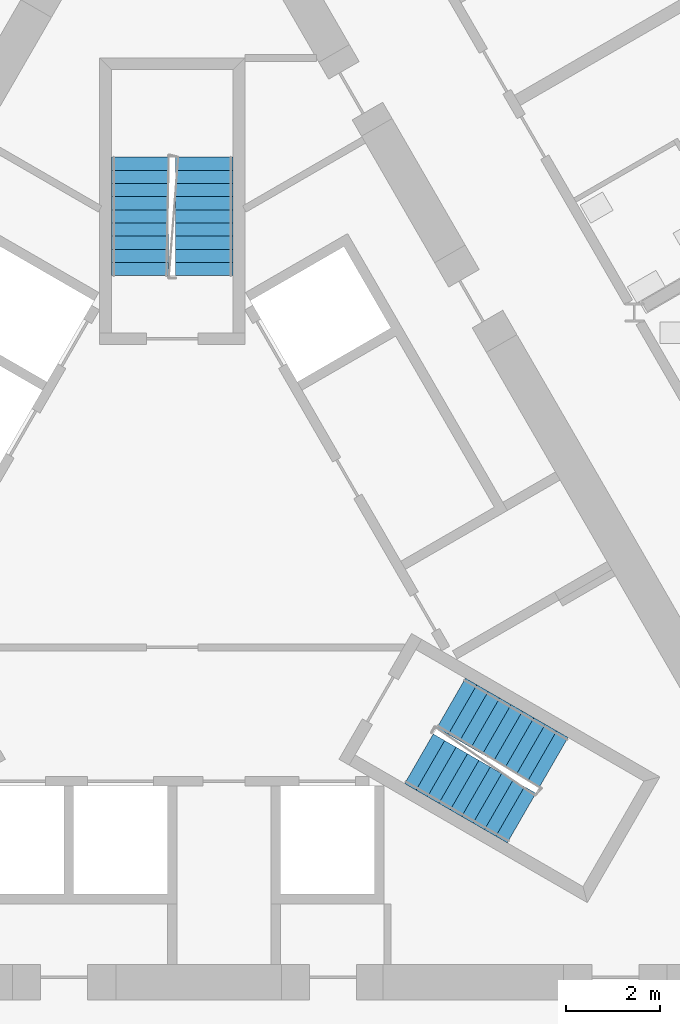
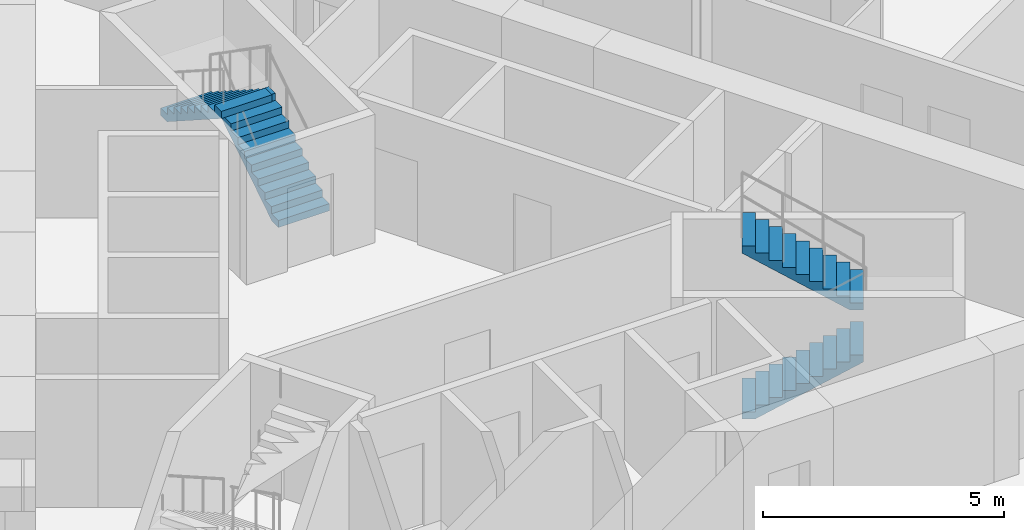
# One storey, part 16 of 24: 4 stair flights, 2 elements without a shape of their own.
"""IFC4 building model written with IfcOpenShell, lengths in metres."""

from ifc_helpers import new_model, si_unit, direction, frame, origin, place, context, subcontext, project, spatial, polyline, outline, extrude, material, type_object, element, aggregate, save


model = new_model("IFC4")

# Units and contexts
model_context = context("Model", 3, precision=1e-05, world=origin(), true_north=direction((0.0, 1.0)))
body_context = subcontext(model_context, "Body", "Model", "MODEL_VIEW")
ifc_project = project(units=[si_unit("LENGTHUNIT", "METRE"), si_unit("AREAUNIT", "SQUARE_METRE"), si_unit("VOLUMEUNIT", "CUBIC_METRE"), si_unit("PLANEANGLEUNIT", "RADIAN"), si_unit("MASSUNIT", "GRAM", prefix="KILO")], contexts=[model_context])

# Site, building, storey
site_placement = place(None, origin())
site = spatial("IfcSite", under=ifc_project, at=site_placement, CompositionType="ELEMENT")
building_placement = place(site_placement, origin())
building = spatial("IfcBuilding", under=site, at=building_placement, Name="Cormorant Prow Tower", CompositionType="ELEMENT")
storey_placement = place(building_placement, frame((0.0, 0.0, 201.60009765625)))
storey = spatial("IfcBuildingStorey", under=building, at=storey_placement, Name="L44", CompositionType="ELEMENT", Elevation=201.60009765625)

# Stair, stair flights
ifc_material_1 = material(Name="Exit stair 20 risers")
stair_type = type_object("IfcStairType", Name="Exit stair 20 risers", PredefinedType="HALF_TURN_STAIR", material=ifc_material_1)
stair_1_placement = place(storey_placement, origin())
stair_1 = element("IfcStair", 1, at=stair_1_placement, inside=storey, type_object=stair_type, Name="L44 Exit stair ST2", PredefinedType="HALF_TURN_STAIR")
ifc_material_2 = material(Name="Concrete 5000 psi", Category="concrete")
stair_flight_type = type_object("IfcStairFlightType", Name="Stair flight 1219", PredefinedType="STRAIGHT", material=ifc_material_2)
stair_flight_1_placement = place(storey_placement, frame((5.24853515625, -3.82080078125, 0.0), z_axis=(0.0, 0.0, 1.0), x_axis=(0.866025403784, -0.5, 0.0)))
stair_flight_1 = element("IfcStairFlight", 2, at=stair_flight_1_placement, type_object=stair_flight_type, Name="ST2 flight 1", NumberOfRisers=10, NumberOfTreads=9, PredefinedType="STRAIGHT", RiserHeight=0.18, TreadLength=0.28, context=body_context, shape_type="SweptSolid", body=[
    extrude(outline(polyline([(0.0, 0.0), (0.0, 0.179931640625), (0.280029296875, 0.179931640625), (0.280029296875, 0.360107421875), (0.56005859375, 0.360107421875), (0.56005859375, 0.5400390625), (0.840087890625, 0.5400390625), (0.840087890625, 0.719970703125), (1.1201171875, 0.719970703125), (1.1201171875, 0.89990234375), (1.39990234375, 0.89990234375), (1.39990234375, 1.080078125), (1.679931640625, 1.080078125), (1.679931640625, 1.260009765625), (1.9599609375, 1.260009765625), (1.9599609375, 1.43994140625), (2.239990234375, 1.43994140625), (2.239990234375, 1.6201171875), (2.52001953125, 1.6201171875), (2.52001953125, 1.800048828125), (2.52001953125, 1.44189453125), (0.277099609375, 0.0), (0.0, 0.0)])), frame((0.0, 0.609375, 0.0), z_axis=(0.0, -1.0, 0.0), x_axis=(1.0, 0.0, 0.0)), (0.0, 0.0, 1.0), 1.218994140625),
])
stair_flight_2_placement = place(storey_placement, frame((8.115478515625, -3.89501953125, 1.7998046875), z_axis=(0.0, 0.0, 1.0), x_axis=(-0.866025403784, 0.5, 0.0)))
stair_flight_2 = element("IfcStairFlight", 3, at=stair_flight_2_placement, type_object=stair_flight_type, Name="ST2 flight 2", NumberOfRisers=10, NumberOfTreads=9, PredefinedType="STRAIGHT", RiserHeight=0.18, TreadLength=0.28, context=body_context, shape_type="SweptSolid", body=[
    extrude(outline(polyline([(0.0, 0.0), (0.0, 0.179931640625), (0.280029296875, 0.179931640625), (0.280029296875, 0.360107421875), (0.56005859375, 0.360107421875), (0.56005859375, 0.5400390625), (0.840087890625, 0.5400390625), (0.840087890625, 0.719970703125), (1.1201171875, 0.719970703125), (1.1201171875, 0.89990234375), (1.39990234375, 0.89990234375), (1.39990234375, 1.080078125), (1.679931640625, 1.080078125), (1.679931640625, 1.260009765625), (1.9599609375, 1.260009765625), (1.9599609375, 1.43994140625), (2.239990234375, 1.43994140625), (2.239990234375, 1.6201171875), (2.52001953125, 1.6201171875), (2.52001953125, 1.800048828125), (2.52001953125, 1.44189453125), (0.277099609375, 0.0), (0.0, 0.0)])), frame((0.0, 0.609375, 0.0), z_axis=(0.0, -1.0, 0.0), x_axis=(1.0, 0.0, 0.0)), (0.0, 0.0, 1.0), 1.218994140625),
])
aggregate(stair_1, [stair_flight_1, stair_flight_2])

stair_2_placement = place(storey_placement, origin())
stair_2 = element("IfcStair", 4, at=stair_2_placement, inside=storey, type_object=stair_type, Name="L44 Exit stair ST3", PredefinedType="HALF_TURN_STAIR")
stair_flight_3_placement = place(storey_placement, frame((0.6845703125, 6.455810546875, 0.0), z_axis=(0.0, 0.0, 1.0), x_axis=(0.0, 1.0, 0.0)))
stair_flight_3 = element("IfcStairFlight", 5, at=stair_flight_3_placement, type_object=stair_flight_type, Name="ST3 flight 1", NumberOfRisers=10, NumberOfTreads=9, PredefinedType="STRAIGHT", RiserHeight=0.18, TreadLength=0.28, context=body_context, shape_type="SweptSolid", body=[
    extrude(outline(polyline([(0.0, 0.0), (0.0, 0.179931640625), (0.280029296875, 0.179931640625), (0.280029296875, 0.360107421875), (0.56005859375, 0.360107421875), (0.56005859375, 0.5400390625), (0.840087890625, 0.5400390625), (0.840087890625, 0.719970703125), (1.1201171875, 0.719970703125), (1.1201171875, 0.89990234375), (1.39990234375, 0.89990234375), (1.39990234375, 1.080078125), (1.679931640625, 1.080078125), (1.679931640625, 1.260009765625), (1.9599609375, 1.260009765625), (1.9599609375, 1.43994140625), (2.239990234375, 1.43994140625), (2.239990234375, 1.6201171875), (2.52001953125, 1.6201171875), (2.52001953125, 1.800048828125), (2.52001953125, 1.44189453125), (0.277099609375, 0.0), (0.0, 0.0)])), frame((0.0, 0.609375, 0.0), z_axis=(0.0, -1.0, 0.0), x_axis=(1.0, 0.0, 0.0)), (0.0, 0.0, 1.0), 1.218994140625),
])
stair_flight_4_placement = place(storey_placement, frame((-0.6845703125, 8.975830078125, 1.7998046875), z_axis=(0.0, 0.0, 1.0), x_axis=(0.0, -1.0, 0.0)))
stair_flight_4 = element("IfcStairFlight", 6, at=stair_flight_4_placement, type_object=stair_flight_type, Name="ST3 flight 2", NumberOfRisers=10, NumberOfTreads=9, PredefinedType="STRAIGHT", RiserHeight=0.18, TreadLength=0.28, context=body_context, shape_type="SweptSolid", body=[
    extrude(outline(polyline([(0.0, 0.0), (0.0, 0.179931640625), (0.280029296875, 0.179931640625), (0.280029296875, 0.360107421875), (0.56005859375, 0.360107421875), (0.56005859375, 0.5400390625), (0.840087890625, 0.5400390625), (0.840087890625, 0.719970703125), (1.1201171875, 0.719970703125), (1.1201171875, 0.89990234375), (1.39990234375, 0.89990234375), (1.39990234375, 1.080078125), (1.679931640625, 1.080078125), (1.679931640625, 1.260009765625), (1.9599609375, 1.260009765625), (1.9599609375, 1.43994140625), (2.239990234375, 1.43994140625), (2.239990234375, 1.6201171875), (2.52001953125, 1.6201171875), (2.52001953125, 1.800048828125), (2.52001953125, 1.44189453125), (0.277099609375, 0.0), (0.0, 0.0)])), frame((0.0, 0.609375, 0.0), z_axis=(0.0, -1.0, 0.0), x_axis=(1.0, 0.0, 0.0)), (0.0, 0.0, 1.0), 1.218994140625),
])
aggregate(stair_2, [stair_flight_3, stair_flight_4])

save(model, "model.ifc")
